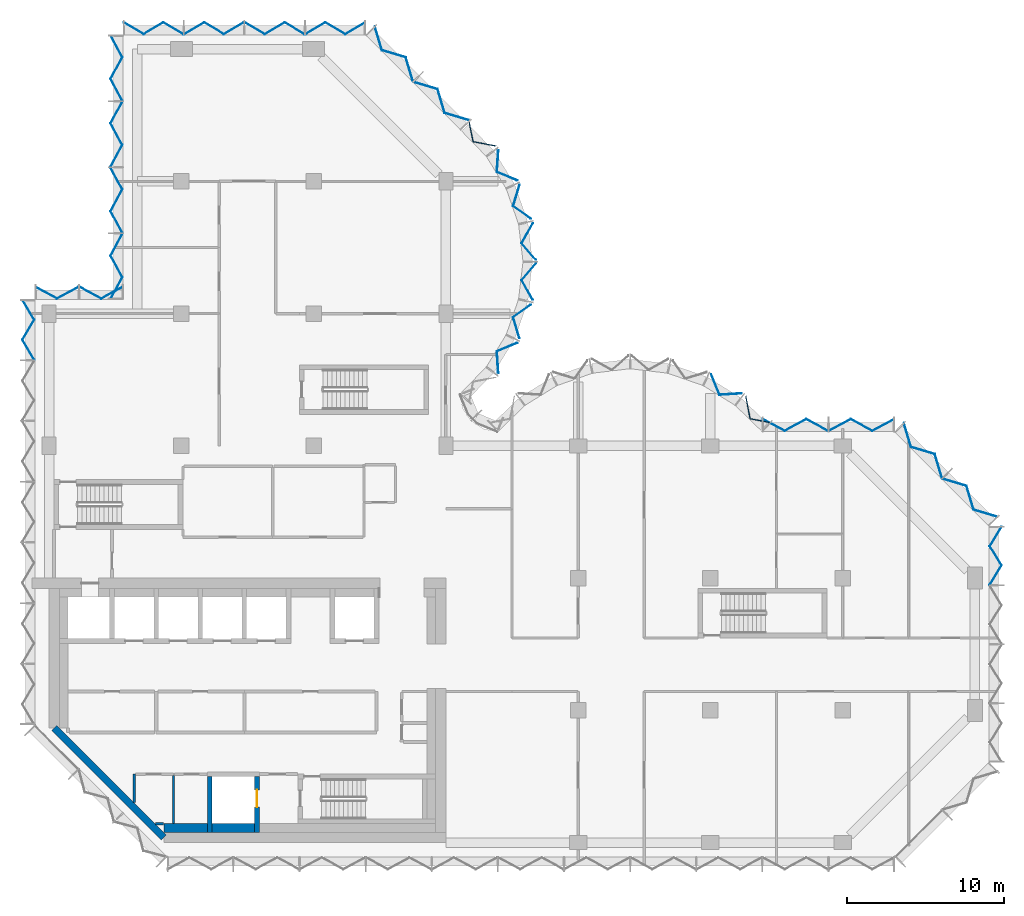
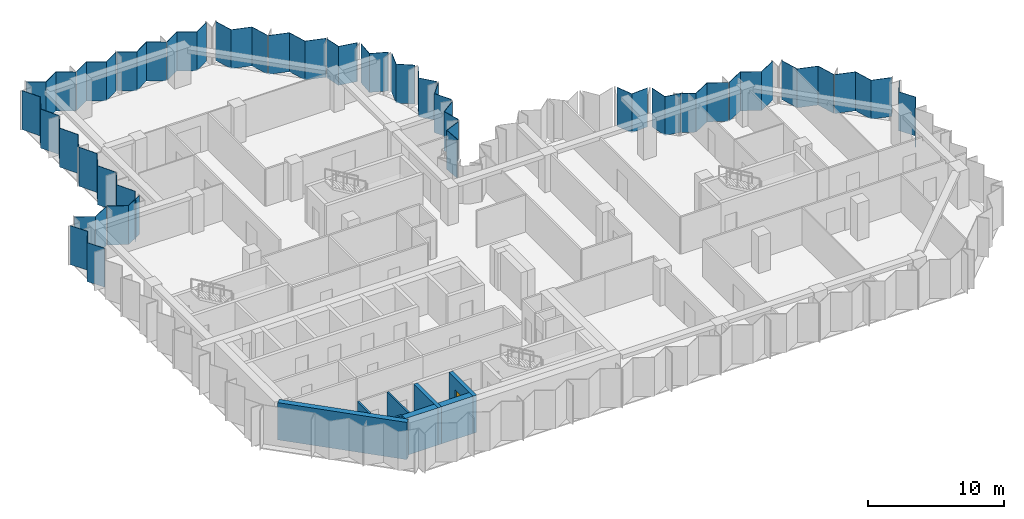
# One storey, part 4 of 10: 27 plates, 8 walls, 1 door, 1 opening, 10 elements without a shape of their own.
"""IFC4 building model written with IfcOpenShell, lengths in metres."""

import ifcopenshell
import ifcopenshell.guid

model = None  # the IFC model being written
_history = None  # IfcOwnerHistory: only IFC2X3 demands one
_inside = {}  # id of a spatial element -> (the spatial element, [elements in it])
_under = {}  # id of a project, library or spatial element -> (it, [spatial elements below it])
_declared = {}  # id of a project -> (the project, [libraries it declares])
_typed = {}  # id of a type object -> (the type object, [elements of that type])
_made_of = {}  # id of a material, layer set ... -> (it, [elements and type objects made of it])


def new_model(schema):
    """Start an empty IFC model of exactly this schema.

    Asked for "IFC4X3", IfcOpenShell would pick the latest addendum, in which some entities
    have other attributes; the version numbers below select the first issue.
    IFC2X3 requires an IfcOwnerHistory on every rooted entity: one is made here for all.
    """
    global model, _history
    if schema == "IFC4X3":
        model = ifcopenshell.file(schema_version=(4, 3, 0, 0))
    else:
        model = ifcopenshell.file(schema=schema)
    _inside.clear()
    _under.clear()
    _declared.clear()
    _typed.clear()
    _made_of.clear()
    _history = None
    if model.schema == "IFC2X3":
        org = make("IfcOrganization", Name="unknown")
        user = make(
            "IfcPersonAndOrganization",
            ThePerson=make("IfcPerson", FamilyName="unknown"),
            TheOrganization=org,
        )
        app = make(
            "IfcApplication",
            ApplicationDeveloper=org,
            Version="unknown",
            ApplicationFullName="unknown",
            ApplicationIdentifier="unknown",
        )
        _history = make(
            "IfcOwnerHistory",
            OwningUser=user,
            OwningApplication=app,
            ChangeAction="ADDED",
            CreationDate=0,
        )
    return model


def make(cls, **values):
    """One entity of the class cls with the attributes given. An attribute that is None is left unset."""
    return model.create_entity(
        cls, **{name: value for name, value in values.items() if value is not None}
    )


def rooted(cls, **values):
    """An entity with a GlobalId (a new one), such as an element, a storey or a relation."""
    return make(cls, GlobalId=ifcopenshell.guid.new(), OwnerHistory=_history, **values)


def si_unit(unit_type, name, prefix=None):
    """IfcSIUnit, for example si_unit("LENGTHUNIT", "METRE", prefix="MILLI")."""
    return make("IfcSIUnit", UnitType=unit_type, Prefix=prefix, Name=name)


def assignment(units):
    """IfcUnitAssignment: the units of a project."""
    return None if units is None else make("IfcUnitAssignment", Units=units)


def point(xyz):
    """IfcCartesianPoint."""
    return None if xyz is None else make("IfcCartesianPoint", Coordinates=xyz)


def direction(xyz):
    """IfcDirection."""
    return None if xyz is None else make("IfcDirection", DirectionRatios=xyz)


def frame(location, z_axis=None, x_axis=None):
    """IfcAxis2Placement3D, a coordinate frame: its origin and axes. An axis left out is left unset."""
    return make(
        "IfcAxis2Placement3D",
        Location=point(location),
        Axis=direction(z_axis),
        RefDirection=direction(x_axis),
    )


def frame_2d(location, x_axis=None):
    """IfcAxis2Placement2D, a coordinate frame in the plane: its origin and x axis."""
    return make(
        "IfcAxis2Placement2D", Location=point(location), RefDirection=direction(x_axis)
    )


def origin():
    """The frame at (0, 0, 0) with its axes left unset."""
    return frame((0.0, 0.0, 0.0))


def place(relative_to, where):
    """IfcLocalPlacement: puts the frame where relative to a parent placement (None: the world)."""
    return make(
        "IfcLocalPlacement", PlacementRelTo=relative_to, RelativePlacement=where
    )


def context(
    kind, dimensions, precision=None, world=None, true_north=None, identifier=None
):
    """IfcGeometricRepresentationContext, for example the 3D "Model" context."""
    return make(
        "IfcGeometricRepresentationContext",
        ContextIdentifier=identifier,
        ContextType=kind,
        CoordinateSpaceDimension=dimensions,
        Precision=precision,
        WorldCoordinateSystem=world,
        TrueNorth=true_north,
    )


def subcontext(parent, identifier, kind, view, scale=None):
    """IfcGeometricRepresentationSubContext, for example "Body" below "Model"."""
    return make(
        "IfcGeometricRepresentationSubContext",
        ContextIdentifier=identifier,
        ContextType=kind,
        ParentContext=parent,
        TargetScale=scale,
        TargetView=view,
    )


def project(units=None, contexts=None):
    """IfcProject with its units and contexts."""
    return rooted(
        "IfcProject",
        Name="project",
        RepresentationContexts=contexts,
        UnitsInContext=assignment(units),
    )


def spatial(cls, under=None, at=None, **own):
    """A site, building, storey or space (cls), placed at a placement, below another one or the project."""
    s = rooted(cls, ObjectPlacement=at, **own)
    if under is not None:
        _under.setdefault(under.id(), (under, []))[1].append(s)
    return s


def polyline(points):
    """IfcPolyline through the points."""
    return make("IfcPolyline", Points=[point(p) for p in points])


def profile(cls, at=None, kind="AREA", **sizes):
    """A parametric profile (cls). Its sizes go by their IFC names, for example OverallWidth=200.0."""
    return make(cls, ProfileType=kind, Position=at, **sizes)


def rectangle(**sizes):
    """IfcRectangleProfileDef."""
    return profile("IfcRectangleProfileDef", **sizes)


def outline(outer, holes=None, kind="AREA"):
    """IfcArbitraryClosedProfileDef: a profile drawn as a closed curve; with holes, ...WithVoids."""
    if holes is None:
        return make("IfcArbitraryClosedProfileDef", ProfileType=kind, OuterCurve=outer)
    return make(
        "IfcArbitraryProfileDefWithVoids",
        ProfileType=kind,
        OuterCurve=outer,
        InnerCurves=holes,
    )


def extrude(swept, where, along, depth):
    """IfcExtrudedAreaSolid: the profile swept, set in the frame where, extruded along a direction by depth."""
    return make(
        "IfcExtrudedAreaSolid",
        SweptArea=swept,
        Position=where,
        ExtrudedDirection=direction(along),
        Depth=depth,
    )


def shape(context_of_items, identifier, shape_type, items):
    """IfcShapeRepresentation: the items that make up one representation, for example the "Body"."""
    return make(
        "IfcShapeRepresentation",
        ContextOfItems=context_of_items,
        RepresentationIdentifier=identifier,
        RepresentationType=shape_type,
        Items=items,
    )


def material(Name=None, Category=None):
    """IfcMaterial."""
    return make("IfcMaterial", Name=Name, Category=Category)


def layer(
    of_material, thickness, ventilated=None, Name=None, Category=None, Priority=None
):
    """IfcMaterialLayer: one layer of a wall or slab, of a material (None: an air gap)."""
    return make(
        "IfcMaterialLayer",
        Material=of_material,
        LayerThickness=thickness,
        IsVentilated=ventilated,
        Name=Name,
        Category=Category,
        Priority=Priority,
    )


def layer_set(layers, Name=None):
    """IfcMaterialLayerSet."""
    return make("IfcMaterialLayerSet", MaterialLayers=layers, LayerSetName=Name)


def made_of(thing, what):
    """Note that an element or type object is made of a material, layer set ...; save() writes the relation."""
    if what is not None:
        _made_of.setdefault(what.id(), (what, []))[1].append(thing)
    return thing


def type_object(cls, material=None, **own):
    """A type object (cls), such as IfcWallType, which elements share."""
    return made_of(rooted(cls, **own), material)


def element(
    cls,
    number,
    at=None,
    inside=None,
    cuts=None,
    type_object=None,
    material=None,
    context=None,
    identifier="Body",
    shape_type=None,
    held_by="IfcProductDefinitionShape",
    body=None,
    shapes=None,
    **own,
):
    """One element of the class cls, such as IfcWall. Its Tag is "e" and its number.

    at: its placement. inside: the storey or other place that contains it. cuts: it is an
    opening in that element (IfcRelVoidsElement). A single representation is given by context,
    identifier, shape_type and body (its items); several are given by shapes. held_by: the class
    of the entity that holds the representations. save() writes the other relations.
    """
    e = rooted(cls, Tag="e%d" % number, ObjectPlacement=at, **own)
    if body is not None:
        shapes = [shape(context, identifier, shape_type, body)]
    if shapes is not None:
        e.Representation = make(held_by, Representations=shapes)
    if inside is not None:
        _inside.setdefault(inside.id(), (inside, []))[1].append(e)
    if cuts is not None:
        rooted(
            "IfcRelVoidsElement", RelatingBuildingElement=cuts, RelatedOpeningElement=e
        )
    if type_object is not None:
        _typed.setdefault(type_object.id(), (type_object, []))[1].append(e)
    return made_of(e, material)


def fill(opening, filler):
    """IfcRelFillsElement: the door or window that sits in an opening."""
    return rooted(
        "IfcRelFillsElement",
        RelatingOpeningElement=opening,
        RelatedBuildingElement=filler,
    )


def aggregate(whole, parts):
    """IfcRelAggregates: a whole, such as a stair, and the parts it consists of."""
    return rooted("IfcRelAggregates", RelatingObject=whole, RelatedObjects=parts)


def save(model, path):
    """Write the relations noted so far, then the file.

    IfcRelAggregates (storeys below a building ...), IfcRelContainedInSpatialStructure (elements
    in a storey), IfcRelDefinesByType, IfcRelAssociatesMaterial and IfcRelDeclares: one each for
    every whole, place, type object, material and project.
    """
    for whole, parts in _under.values():
        aggregate(whole, parts)
    for where, things in _inside.values():
        rooted(
            "IfcRelContainedInSpatialStructure",
            RelatedElements=things,
            RelatingStructure=where,
        )
    for kind, things in _typed.values():
        rooted("IfcRelDefinesByType", RelatedObjects=things, RelatingType=kind)
    for what, things in _made_of.values():
        rooted("IfcRelAssociatesMaterial", RelatedObjects=things, RelatingMaterial=what)
    for by, libraries in _declared.values():
        rooted("IfcRelDeclares", RelatingContext=by, RelatedDefinitions=libraries)
    model.write(path)


model = new_model("IFC4")

# Units and contexts
model_context = context("Model", 3, precision=1e-05, world=origin(), true_north=direction((0.0, 1.0)))
body_context = subcontext(model_context, "Body", "Model", "MODEL_VIEW")
ifc_project = project(units=[si_unit("LENGTHUNIT", "METRE"), si_unit("AREAUNIT", "SQUARE_METRE"), si_unit("VOLUMEUNIT", "CUBIC_METRE"), si_unit("PLANEANGLEUNIT", "RADIAN"), si_unit("MASSUNIT", "GRAM", prefix="KILO")], contexts=[model_context])

# Site, building, storey
site_placement = place(None, origin())
site = spatial("IfcSite", under=ifc_project, at=site_placement, CompositionType="ELEMENT")
building_placement = place(site_placement, origin())
building = spatial("IfcBuilding", under=site, at=building_placement, Name="Brevane Broadcast Tower", CompositionType="ELEMENT")
storey_placement = place(building_placement, frame((0.0, 0.0, 177.60009765625)))
storey = spatial("IfcBuildingStorey", under=building, at=storey_placement, Name="L44", CompositionType="ELEMENT", Elevation=177.60009765625)

# Curtain wall, plate
ifc_material_1 = material(Name="Aluminium 6063-T6 bronze anodised", Category="aluminium")
curtain_wall_type = type_object("IfcCurtainWallType", Name="CW-1 curtain wall", PredefinedType="NOTDEFINED", material=ifc_material_1)
curtain_wall_1_placement = place(storey_placement, origin())
curtain_wall_1 = element("IfcCurtainWall", 1, at=curtain_wall_1_placement, inside=storey, type_object=curtain_wall_type, Name="CW-1 typical tilted unit L44 east end", PredefinedType="NOTDEFINED")
ifc_material_2 = material(Name="Laminated glass bronze-tinted", Category="glass")
ifc_layer_1 = layer(ifc_material_2, 0.0400390625)
ifc_layer_set_1 = layer_set([ifc_layer_1], Name="CW tall glass panel 40")
plate_type = type_object("IfcPlateType", Name="CW tall glass panel 40", PredefinedType="CURTAIN_PANEL", material=ifc_layer_set_1)
plate_1_placement = place(storey_placement, frame((0.0, 0.0, -0.150146484375)))
plate_1 = element("IfcPlate", 2, at=plate_1_placement, type_object=plate_type, Name="CW-1 glass panel", PredefinedType="CURTAIN_PANEL", context=body_context, shape_type="SweptSolid", body=[
    extrude(outline(polyline([(59.7265625, 16.385009765625), (59.7734375, 16.385009765625), (60.517822265625, 17.61181640625), (59.7734375, 18.83837890625), (60.517822265625, 20.06494140625), (60.470947265625, 20.06494140625), (59.7265625, 18.83837890625), (60.470947265625, 17.61181640625), (59.7265625, 16.385009765625)])), origin(), (0.0, 0.0, 1.0), 3.5),
])
aggregate(curtain_wall_1, [plate_1])

# Curtain wall, plates
curtain_wall_2_placement = place(storey_placement, origin())
curtain_wall_2 = element("IfcCurtainWall", 3, at=curtain_wall_2_placement, inside=storey, type_object=curtain_wall_type, Name="CW-1 typical tilted unit L44 north-east chamfer", PredefinedType="NOTDEFINED")
plate_2_placement = place(storey_placement, frame((0.0, 0.0, -0.150146484375)))
plate_2 = element("IfcPlate", 4, at=plate_2_placement, type_object=plate_type, Name="CW-1 glass panel", PredefinedType="CURTAIN_PANEL", context=body_context, shape_type="SweptSolid", body=[
    extrude(outline(polyline([(60.220947265625, 20.67041015625), (60.2529296875, 20.702392578125), (58.7431640625, 21.15966796875), (58.285888671875, 22.66943359375), (56.776123046875, 23.126708984375), (56.744140625, 23.094482421875), (58.25390625, 22.637451171875), (58.711181640625, 21.127685546875), (60.220947265625, 20.67041015625)])), origin(), (0.0, 0.0, 1.0), 3.5),
])
plate_3_placement = place(storey_placement, frame((0.0, 0.0, -0.150146484375)))
plate_3 = element("IfcPlate", 5, at=plate_3_placement, type_object=plate_type, Name="CW-1 glass panel", PredefinedType="CURTAIN_PANEL", context=body_context, shape_type="SweptSolid", body=[
    extrude(outline(polyline([(56.694580078125, 23.14404296875), (56.7265625, 23.176025390625), (56.26953125, 24.68603515625), (54.759521484375, 25.14306640625), (54.302490234375, 26.653076171875), (54.2705078125, 26.620849609375), (54.7275390625, 25.111083984375), (56.2373046875, 24.65380859375), (56.694580078125, 23.14404296875)])), origin(), (0.0, 0.0, 1.0), 3.5),
])
aggregate(curtain_wall_2, [plate_2, plate_3])

curtain_wall_3_placement = place(storey_placement, origin())
curtain_wall_3 = element("IfcCurtainWall", 6, at=curtain_wall_3_placement, inside=storey, type_object=curtain_wall_type, Name="CW-1 typical tilted unit L44 east arm north face", PredefinedType="NOTDEFINED")
plate_4_placement = place(storey_placement, frame((0.0, 0.0, -0.150146484375)))
plate_4 = element("IfcPlate", 7, at=plate_4_placement, type_object=plate_type, Name="CW-1 glass panel", PredefinedType="CURTAIN_PANEL", context=body_context, shape_type="SweptSolid", body=[
    extrude(outline(polyline([(53.6650390625, 26.87158203125), (53.6650390625, 26.9169921875), (52.288330078125, 26.172607421875), (50.91162109375, 26.9169921875), (49.534912109375, 26.172607421875), (49.534912109375, 26.127197265625), (50.91162109375, 26.87158203125), (52.288330078125, 26.127197265625), (53.6650390625, 26.87158203125)])), origin(), (0.0, 0.0, 1.0), 3.5),
])
plate_5_placement = place(storey_placement, frame((0.0, 0.0, -0.150146484375)))
plate_5 = element("IfcPlate", 8, at=plate_5_placement, type_object=plate_type, Name="CW-1 glass panel", PredefinedType="CURTAIN_PANEL", context=body_context, shape_type="SweptSolid", body=[
    extrude(outline(polyline([(49.465087890625, 26.127197265625), (49.465087890625, 26.172607421875), (48.08837890625, 26.9169921875), (46.711669921875, 26.172607421875), (45.3349609375, 26.9169921875), (45.3349609375, 26.87158203125), (46.711669921875, 26.127197265625), (48.08837890625, 26.87158203125), (49.465087890625, 26.127197265625)])), origin(), (0.0, 0.0, 1.0), 3.5),
])
aggregate(curtain_wall_3, [plate_4, plate_5])

curtain_wall_4_placement = place(storey_placement, origin())
curtain_wall_4 = element("IfcCurtainWall", 9, at=curtain_wall_4_placement, inside=storey, type_object=curtain_wall_type, Name="CW-1 typical tilted unit L44 east bow", PredefinedType="NOTDEFINED")
plate_6_placement = place(storey_placement, frame((0.0, 0.0, -0.150146484375)))
plate_6 = element("IfcPlate", 10, at=plate_6_placement, type_object=plate_type, Name="CW-1 glass panel", PredefinedType="CURTAIN_PANEL", context=body_context, shape_type="SweptSolid", body=[
    extrude(outline(polyline([(45.79150390625, 26.656005859375), (45.82470703125, 26.690185546875), (44.539306640625, 26.9423828125), (44.263916015625, 28.3857421875), (44.231201171875, 28.34375), (44.5048828125, 26.908203125), (45.79150390625, 26.656005859375)])), origin(), (0.0, 0.0, 1.0), 3.5),
])
plate_7_placement = place(storey_placement, frame((0.0, 0.0, -0.150146484375)))
plate_7 = element("IfcPlate", 11, at=plate_7_placement, type_object=plate_type, Name="CW-1 glass panel", PredefinedType="CURTAIN_PANEL", context=body_context, shape_type="SweptSolid", body=[
    extrude(outline(polyline([(43.950439453125, 28.5087890625), (43.9833984375, 28.551025390625), (42.601318359375, 28.462890625), (42.0703125, 29.76171875), (42.046875, 29.712890625), (42.5751953125, 28.42138671875), (43.950439453125, 28.5087890625)])), origin(), (0.0, 0.0, 1.0), 3.5),
])
aggregate(curtain_wall_4, [plate_6, plate_7])

curtain_wall_5_placement = place(storey_placement, origin())
curtain_wall_5 = element("IfcCurtainWall", 12, at=curtain_wall_5_placement, inside=storey, type_object=curtain_wall_type, Name="CW-1 typical tilted unit L44 north bow", PredefinedType="NOTDEFINED")
plate_8_placement = place(storey_placement, frame((0.0, 0.0, -0.150146484375)))
plate_8 = element("IfcPlate", 13, at=plate_8_placement, type_object=plate_type, Name="CW-1 glass panel", PredefinedType="CURTAIN_PANEL", context=body_context, shape_type="SweptSolid", body=[
    extrude(outline(polyline([(28.5087890625, 29.849609375), (28.551025390625, 29.816650390625), (28.462890625, 31.198486328125), (29.76171875, 31.729736328125), (29.712890625, 31.753173828125), (28.42138671875, 31.224609375), (28.5087890625, 29.849609375)])), origin(), (0.0, 0.0, 1.0), 3.5),
])
plate_9_placement = place(storey_placement, frame((0.0, 0.0, -0.150146484375)))
plate_9 = element("IfcPlate", 14, at=plate_9_placement, type_object=plate_type, Name="CW-1 glass panel", PredefinedType="CURTAIN_PANEL", context=body_context, shape_type="SweptSolid", body=[
    extrude(outline(polyline([(29.851806640625, 32.044677734375), (29.900634765625, 32.021484375), (29.494384765625, 33.364501953125), (30.622802734375, 34.167236328125), (30.57080078125, 34.17919921875), (29.44775390625, 33.380615234375), (29.851806640625, 32.044677734375)])), origin(), (0.0, 0.0, 1.0), 3.5),
])
plate_10_placement = place(storey_placement, frame((0.0, 0.0, -0.150146484375)))
plate_10 = element("IfcPlate", 15, at=plate_10_placement, type_object=plate_type, Name="CW-1 glass panel", PredefinedType="CURTAIN_PANEL", context=body_context, shape_type="SweptSolid", body=[
    extrude(outline(polyline([(30.68798828125, 34.483642578125), (30.740478515625, 34.4716796875), (30.036376953125, 35.730224609375), (30.94921875, 36.7919921875), (30.896484375, 36.7919921875), (29.98779296875, 35.735107421875), (30.68798828125, 34.483642578125)])), origin(), (0.0, 0.0, 1.0), 3.5),
])
plate_11_placement = place(storey_placement, frame((0.0, 0.0, -0.150146484375)))
plate_11 = element("IfcPlate", 16, at=plate_11_placement, type_object=plate_type, Name="CW-1 glass panel", PredefinedType="CURTAIN_PANEL", context=body_context, shape_type="SweptSolid", body=[
    extrude(outline(polyline([(30.896484375, 37.008056640625), (30.94921875, 37.008056640625), (30.036376953125, 38.069580078125), (30.740478515625, 39.328369140625), (30.68798828125, 39.31640625), (29.98779296875, 38.064697265625), (30.896484375, 37.008056640625)])), origin(), (0.0, 0.0, 1.0), 3.5),
])
plate_12_placement = place(storey_placement, frame((0.0, 0.0, -0.150146484375)))
plate_12 = element("IfcPlate", 17, at=plate_12_placement, type_object=plate_type, Name="CW-1 glass panel", PredefinedType="CURTAIN_PANEL", context=body_context, shape_type="SweptSolid", body=[
    extrude(outline(polyline([(30.57080078125, 39.62060546875), (30.622802734375, 39.6328125), (29.494384765625, 40.435546875), (29.900634765625, 41.778564453125), (29.851806640625, 41.75537109375), (29.44775390625, 40.41943359375), (30.57080078125, 39.62060546875)])), origin(), (0.0, 0.0, 1.0), 3.5),
])
plate_13_placement = place(storey_placement, frame((0.0, 0.0, -0.150146484375)))
plate_13 = element("IfcPlate", 18, at=plate_13_placement, type_object=plate_type, Name="CW-1 glass panel", PredefinedType="CURTAIN_PANEL", context=body_context, shape_type="SweptSolid", body=[
    extrude(outline(polyline([(29.712890625, 42.046875), (29.76171875, 42.0703125), (28.462890625, 42.601318359375), (28.551025390625, 43.9833984375), (28.5087890625, 43.950439453125), (28.42138671875, 42.5751953125), (29.712890625, 42.046875)])), origin(), (0.0, 0.0, 1.0), 3.5),
])
plate_14_placement = place(storey_placement, frame((0.0, 0.0, -0.150146484375)))
plate_14 = element("IfcPlate", 19, at=plate_14_placement, type_object=plate_type, Name="CW-1 glass panel", PredefinedType="CURTAIN_PANEL", context=body_context, shape_type="SweptSolid", body=[
    extrude(outline(polyline([(28.34375, 44.231201171875), (28.3857421875, 44.263916015625), (26.9423828125, 44.539306640625), (26.690185546875, 45.82470703125), (26.656005859375, 45.79150390625), (26.908203125, 44.5048828125), (28.34375, 44.231201171875)])), origin(), (0.0, 0.0, 1.0), 3.5),
])
aggregate(curtain_wall_5, [plate_8, plate_9, plate_10, plate_11, plate_12, plate_13, plate_14])

curtain_wall_6_placement = place(storey_placement, origin())
curtain_wall_6 = element("IfcCurtainWall", 20, at=curtain_wall_6_placement, inside=storey, type_object=curtain_wall_type, Name="CW-1 typical tilted unit L44 north arm north-east chamfer", PredefinedType="NOTDEFINED")
plate_15_placement = place(storey_placement, frame((0.0, 0.0, -0.150146484375)))
plate_15 = element("IfcPlate", 21, at=plate_15_placement, type_object=plate_type, Name="CW-1 glass panel", PredefinedType="CURTAIN_PANEL", context=body_context, shape_type="SweptSolid", body=[
    extrude(outline(polyline([(26.620849609375, 45.870361328125), (26.653076171875, 45.902587890625), (25.14306640625, 46.359619140625), (24.68603515625, 47.869384765625), (23.176025390625, 48.32666015625), (23.14404296875, 48.294677734375), (24.65380859375, 47.83740234375), (25.111083984375, 46.32763671875), (26.620849609375, 45.870361328125)])), origin(), (0.0, 0.0, 1.0), 3.5),
])
plate_16_placement = place(storey_placement, frame((0.0, 0.0, -0.150146484375)))
plate_16 = element("IfcPlate", 22, at=plate_16_placement, type_object=plate_type, Name="CW-1 glass panel", PredefinedType="CURTAIN_PANEL", context=body_context, shape_type="SweptSolid", body=[
    extrude(outline(polyline([(23.094482421875, 48.343994140625), (23.126708984375, 48.376220703125), (22.66943359375, 49.885986328125), (21.15966796875, 50.343017578125), (20.702392578125, 51.85302734375), (20.67041015625, 51.82080078125), (21.127685546875, 50.31103515625), (22.637451171875, 49.85400390625), (23.094482421875, 48.343994140625)])), origin(), (0.0, 0.0, 1.0), 3.5),
])
aggregate(curtain_wall_6, [plate_15, plate_16])

curtain_wall_7_placement = place(storey_placement, origin())
curtain_wall_7 = element("IfcCurtainWall", 23, at=curtain_wall_7_placement, inside=storey, type_object=curtain_wall_type, Name="CW-1 typical tilted unit L44 north end", PredefinedType="NOTDEFINED")
plate_17_placement = place(storey_placement, frame((0.0, 0.0, -0.150146484375)))
plate_17 = element("IfcPlate", 24, at=plate_17_placement, type_object=plate_type, Name="CW-1 glass panel", PredefinedType="CURTAIN_PANEL", context=body_context, shape_type="SweptSolid", body=[
    extrude(outline(polyline([(20.06494140625, 52.0712890625), (20.06494140625, 52.11767578125), (18.804931640625, 51.373291015625), (17.544921875, 52.11767578125), (16.284912109375, 51.373291015625), (16.284912109375, 51.326904296875), (17.544921875, 52.0712890625), (18.804931640625, 51.326904296875), (20.06494140625, 52.0712890625)])), origin(), (0.0, 0.0, 1.0), 3.5),
])
plate_18_placement = place(storey_placement, frame((0.0, 0.0, -0.150146484375)))
plate_18 = element("IfcPlate", 25, at=plate_18_placement, type_object=plate_type, Name="CW-1 glass panel", PredefinedType="CURTAIN_PANEL", context=body_context, shape_type="SweptSolid", body=[
    extrude(outline(polyline([(16.215087890625, 51.326904296875), (16.215087890625, 51.373291015625), (14.955078125, 52.11767578125), (13.695068359375, 51.373291015625), (12.43505859375, 52.11767578125), (12.43505859375, 52.0712890625), (13.695068359375, 51.326904296875), (14.955078125, 52.0712890625), (16.215087890625, 51.326904296875)])), origin(), (0.0, 0.0, 1.0), 3.5),
])
plate_19_placement = place(storey_placement, frame((0.0, 0.0, -0.150146484375)))
plate_19 = element("IfcPlate", 26, at=plate_19_placement, type_object=plate_type, Name="CW-1 glass panel", PredefinedType="CURTAIN_PANEL", context=body_context, shape_type="SweptSolid", body=[
    extrude(outline(polyline([(12.364990234375, 52.0712890625), (12.364990234375, 52.11767578125), (11.10498046875, 51.373291015625), (9.844970703125, 52.11767578125), (8.5849609375, 51.373291015625), (8.5849609375, 51.326904296875), (9.844970703125, 52.0712890625), (11.10498046875, 51.326904296875), (12.364990234375, 52.0712890625)])), origin(), (0.0, 0.0, 1.0), 3.5),
])
plate_20_placement = place(storey_placement, frame((0.0, 0.0, -0.150146484375)))
plate_20 = element("IfcPlate", 27, at=plate_20_placement, type_object=plate_type, Name="CW-1 glass panel", PredefinedType="CURTAIN_PANEL", context=body_context, shape_type="SweptSolid", body=[
    extrude(outline(polyline([(8.514892578125, 51.326904296875), (8.514892578125, 51.373291015625), (7.2548828125, 52.11767578125), (5.9951171875, 51.373291015625), (4.735107421875, 52.11767578125), (4.735107421875, 52.0712890625), (5.9951171875, 51.326904296875), (7.2548828125, 52.0712890625), (8.514892578125, 51.326904296875)])), origin(), (0.0, 0.0, 1.0), 3.5),
])
aggregate(curtain_wall_7, [plate_17, plate_18, plate_19, plate_20])

curtain_wall_8_placement = place(storey_placement, origin())
curtain_wall_8 = element("IfcCurtainWall", 28, at=curtain_wall_8_placement, inside=storey, type_object=curtain_wall_type, Name="CW-1 typical tilted unit L44 north wing west face, lower block", PredefinedType="NOTDEFINED")
plate_21_placement = place(storey_placement, frame((0.0, 0.0, -0.150146484375)))
plate_21 = element("IfcPlate", 29, at=plate_21_placement, type_object=plate_type, Name="CW-1 glass panel", PredefinedType="CURTAIN_PANEL", context=body_context, shape_type="SweptSolid", body=[
    extrude(outline(polyline([(3.92822265625, 51.264892578125), (3.8828125, 51.264892578125), (4.627197265625, 49.88818359375), (3.8828125, 48.51171875), (4.627197265625, 47.135009765625), (4.672607421875, 47.135009765625), (3.92822265625, 48.51171875), (4.672607421875, 49.88818359375), (3.92822265625, 51.264892578125)])), origin(), (0.0, 0.0, 1.0), 3.5),
])
plate_22_placement = place(storey_placement, frame((0.0, 0.0, -0.150146484375)))
plate_22 = element("IfcPlate", 30, at=plate_22_placement, type_object=plate_type, Name="CW-1 glass panel", PredefinedType="CURTAIN_PANEL", context=body_context, shape_type="SweptSolid", body=[
    extrude(outline(polyline([(4.672607421875, 47.06494140625), (4.627197265625, 47.06494140625), (3.8828125, 45.688232421875), (4.627197265625, 44.311767578125), (3.8828125, 42.93505859375), (3.92822265625, 42.93505859375), (4.672607421875, 44.311767578125), (3.92822265625, 45.688232421875), (4.672607421875, 47.06494140625)])), origin(), (0.0, 0.0, 1.0), 3.5),
])
plate_23_placement = place(storey_placement, frame((0.0, 0.0, -0.150146484375)))
plate_23 = element("IfcPlate", 31, at=plate_23_placement, type_object=plate_type, Name="CW-1 glass panel", PredefinedType="CURTAIN_PANEL", context=body_context, shape_type="SweptSolid", body=[
    extrude(outline(polyline([(3.92822265625, 42.864990234375), (3.8828125, 42.864990234375), (4.627197265625, 41.48828125), (3.8828125, 40.11181640625), (4.627197265625, 38.735107421875), (4.672607421875, 38.735107421875), (3.92822265625, 40.11181640625), (4.672607421875, 41.48828125), (3.92822265625, 42.864990234375)])), origin(), (0.0, 0.0, 1.0), 3.5),
])
plate_24_placement = place(storey_placement, frame((0.0, 0.0, -0.150146484375)))
plate_24 = element("IfcPlate", 32, at=plate_24_placement, type_object=plate_type, Name="CW-1 glass panel", PredefinedType="CURTAIN_PANEL", context=body_context, shape_type="SweptSolid", body=[
    extrude(outline(polyline([(4.672607421875, 38.6650390625), (4.627197265625, 38.6650390625), (3.8828125, 37.288330078125), (4.627197265625, 35.91162109375), (3.8828125, 34.534912109375), (3.92822265625, 34.534912109375), (4.672607421875, 35.91162109375), (3.92822265625, 37.288330078125), (4.672607421875, 38.6650390625)])), origin(), (0.0, 0.0, 1.0), 3.5),
])
aggregate(curtain_wall_8, [plate_21, plate_22, plate_23, plate_24])

curtain_wall_9_placement = place(storey_placement, origin())
curtain_wall_9 = element("IfcCurtainWall", 33, at=curtain_wall_9_placement, inside=storey, type_object=curtain_wall_type, Name="CW-1 typical tilted unit L44 north wing west return, lower block", PredefinedType="NOTDEFINED")
plate_25_placement = place(storey_placement, frame((0.0, 0.0, -0.150146484375)))
plate_25 = element("IfcPlate", 34, at=plate_25_placement, type_object=plate_type, Name="CW-1 glass panel", PredefinedType="CURTAIN_PANEL", context=body_context, shape_type="SweptSolid", body=[
    extrude(outline(polyline([(4.6650390625, 35.271484375), (4.6650390625, 35.317138671875), (3.300048828125, 34.57275390625), (1.93505859375, 35.317138671875), (1.93505859375, 35.271484375), (3.300048828125, 34.527099609375), (4.6650390625, 35.271484375)])), origin(), (0.0, 0.0, 1.0), 3.5),
])
plate_26_placement = place(storey_placement, frame((0.0, 0.0, -0.150146484375)))
plate_26 = element("IfcPlate", 35, at=plate_26_placement, type_object=plate_type, Name="CW-1 glass panel", PredefinedType="CURTAIN_PANEL", context=body_context, shape_type="SweptSolid", body=[
    extrude(outline(polyline([(1.864990234375, 35.271484375), (1.864990234375, 35.317138671875), (0.5, 34.57275390625), (-0.864990234375, 35.317138671875), (-0.864990234375, 35.271484375), (0.5, 34.527099609375), (1.864990234375, 35.271484375)])), origin(), (0.0, 0.0, 1.0), 3.5),
])
aggregate(curtain_wall_9, [plate_25, plate_26])

# Curtain wall, plate
curtain_wall_10_placement = place(storey_placement, origin())
curtain_wall_10 = element("IfcCurtainWall", 36, at=curtain_wall_10_placement, inside=storey, type_object=curtain_wall_type, Name="CW-1 typical tilted unit L44 west face", PredefinedType="NOTDEFINED")
plate_27_placement = place(storey_placement, frame((0.0, 0.0, -0.150146484375)))
plate_27 = element("IfcPlate", 37, at=plate_27_placement, type_object=plate_type, Name="CW-1 glass panel", PredefinedType="CURTAIN_PANEL", context=body_context, shape_type="SweptSolid", body=[
    extrude(outline(polyline([(-1.671142578125, 34.465087890625), (-1.717529296875, 34.465087890625), (-0.97314453125, 33.20263671875), (-1.717529296875, 31.940185546875), (-0.97314453125, 30.677978515625), (-0.9267578125, 30.677978515625), (-1.671142578125, 31.940185546875), (-0.9267578125, 33.20263671875), (-1.671142578125, 34.465087890625)])), origin(), (0.0, 0.0, 1.0), 3.5),
])
aggregate(curtain_wall_10, [plate_27])

# Walls
ifc_material_3 = material(Name="Concrete C32/40", Category="concrete")
ifc_layer_2 = layer(ifc_material_3, 0.550048828125)
ifc_layer_set_2 = layer_set([ifc_layer_2], Name="Core chase wall 550 mm")
wall_type_1 = type_object("IfcWallType", Name="Core chase wall 550 mm", PredefinedType="PARTITIONING", material=ifc_layer_set_2)
wall_1_placement = place(storey_placement, frame((7.286376953125, 0.925048828125, 0.0), z_axis=(0.0, 0.0, 1.0), x_axis=(1.0, 0.0, 0.0)))
element("IfcWall", 38, at=wall_1_placement, inside=storey, type_object=wall_type_1, Name="L44 chase wall LS-1", PredefinedType="PARTITIONING", context=body_context, shape_type="SweptSolid", body=[
    extrude(rectangle(XDim=2.763671875, YDim=0.550048828125, at=frame_2d((1.3818359375, 0.0))), origin(), (0.0, 0.0, 1.0), 3.349853515625),
])
wall_2_placement = place(storey_placement, frame((10.35009765625, 0.925048828125, 0.0), z_axis=(0.0, 0.0, 1.0), x_axis=(1.0, 0.0, 0.0)))
element("IfcWall", 39, at=wall_2_placement, inside=storey, type_object=wall_type_1, Name="L44 chase wall LS-2-1", PredefinedType="PARTITIONING", context=body_context, shape_type="SweptSolid", body=[
    extrude(rectangle(XDim=2.699951171875, YDim=0.550048828125, at=frame_2d((1.35009765625, 0.0))), origin(), (0.0, 0.0, 1.0), 3.349853515625),
])
ifc_material_4 = material(Name="Gypsum board on steel studs", Category="steel")
ifc_layer_3 = layer(ifc_material_4, 0.14990234375)
ifc_layer_set_3 = layer_set([ifc_layer_3], Name="Core fire partition 150 mm")
wall_type_2 = type_object("IfcWallType", Name="Core fire partition 150 mm", PredefinedType="PARTITIONING", material=ifc_layer_set_3)
wall_3_placement = place(storey_placement, frame((5.39990234375, 2.553466796875, 0.0), z_axis=(0.0, 0.0, 1.0), x_axis=(0.0, 1.0, 0.0)))
element("IfcWall", 40, at=wall_3_placement, inside=storey, type_object=wall_type_2, Name="L44 partition wall P17", PredefinedType="PARTITIONING", context=body_context, shape_type="SweptSolid", body=[
    extrude(rectangle(XDim=1.796630859375, YDim=0.14990234375, at=frame_2d((0.8984375, 0.0))), origin(), (0.0, 0.0, 1.0), 3.349853515625),
])
wall_4_placement = place(storey_placement, frame((7.89990234375, 4.27490234375, 0.0), z_axis=(0.0, 0.0, 1.0), x_axis=(0.0, -1.0, 0.0)))
element("IfcWall", 41, at=wall_4_placement, inside=storey, type_object=wall_type_2, Name="L44 partition wall P19", PredefinedType="PARTITIONING", context=body_context, shape_type="SweptSolid", body=[
    extrude(rectangle(XDim=3.06298828125, YDim=0.14990234375, at=frame_2d((1.531494140625, 0.0))), origin(), (0.0, 0.0, 1.0), 3.349853515625),
])
wall_5_placement = place(storey_placement, frame((7.2744140625, 1.199951171875, 0.0), z_axis=(0.0, 0.0, 1.0), x_axis=(-1.0, 0.0, 0.0)))
element("IfcWall", 42, at=wall_5_placement, inside=storey, type_object=wall_type_2, Name="L44 partition wall P20", PredefinedType="PARTITIONING", context=body_context, shape_type="SweptSolid", body=[
    extrude(rectangle(XDim=0.52099609375, YDim=0.14990234375, at=frame_2d((0.260498046875, 0.0))), origin(), (0.0, 0.0, 1.0), 3.349853515625),
])
ifc_material_5 = material(Name="Concrete C60/75", Category="concrete")
ifc_layer_4 = layer(ifc_material_5, 0.300048828125)
ifc_layer_set_4 = layer_set([ifc_layer_4], Name="Core wall 300 mm C60/75")
wall_type_3 = type_object("IfcWallType", Name="Core wall 300 mm C60/75", PredefinedType="SHEAR", material=ifc_layer_set_4)
wall_6_placement = place(storey_placement, frame((10.199951171875, 0.64990234375, 0.0), z_axis=(0.0, 0.0, 1.0), x_axis=(0.0, 1.0, 0.0)))
element("IfcWall", 43, at=wall_6_placement, inside=storey, type_object=wall_type_3, Name="L44 shaft wall FF2-W", PredefinedType="SHEAR", context=body_context, shape_type="SweptSolid", body=[
    extrude(rectangle(XDim=3.550048828125, YDim=0.300048828125, at=frame_2d((1.77490234375, 0.0))), origin(), (0.0, 0.0, 1.0), 3.349853515625),
])

# Wall, opening, door
wall_7_placement = place(storey_placement, frame((13.199951171875, 0.64990234375, 0.0), z_axis=(0.0, 0.0, 1.0), x_axis=(0.0, 1.0, 0.0)))
wall_7 = element("IfcWall", 44, at=wall_7_placement, inside=storey, type_object=wall_type_3, Name="L44 shaft wall FF2-E", PredefinedType="SHEAR", context=body_context, shape_type="SweptSolid", body=[
    extrude(rectangle(XDim=3.550048828125, YDim=0.300048828125, at=frame_2d((1.77490234375, 0.0))), origin(), (0.0, 0.0, 1.0), 3.349853515625),
])
opening_placement = place(wall_7_placement, frame((1.60009765625, 0.0, 0.0)))
opening = element("IfcOpeningElement", 45, at=opening_placement, cuts=wall_7, Name="Opening LD", PredefinedType="OPENING", context=body_context, shape_type="SweptSolid", body=[
    extrude(rectangle(XDim=1.10009765625, YDim=2.300048828125, at=frame_2d((0.550048828125, 1.14990234375))), frame((0.0, 0.159912109375, 0.0), z_axis=(0.0, -1.0, 0.0), x_axis=(1.0, 0.0, 0.0)), (0.0, 0.0, 1.0), 0.320068359375),
])
ifc_material_6 = material(Name="Stainless steel", Category="steel")
door_type = type_object("IfcDoorType", Name="Lift landing door", OperationType="SLIDING_TO_LEFT", PredefinedType="DOOR", material=ifc_material_6)
door_placement = place(opening_placement, origin())
door = element("IfcDoor", 46, at=door_placement, inside=storey, type_object=door_type, Name="Landing door FF2 L44", OperationType="SLIDING_TO_LEFT", OverallHeight=2.300048828125, OverallWidth=1.10009765625, PredefinedType="DOOR", context=body_context, shape_type="SweptSolid", body=[
    extrude(rectangle(XDim=1.10009765625, YDim=2.300048828125, at=frame_2d((0.550048828125, 1.14990234375))), frame((0.0, 0.02490234375, 0.0), z_axis=(0.0, -1.0, 0.0), x_axis=(1.0, 0.0, 0.0)), (0.0, 0.0, 1.0), 0.050048828125),
])
fill(opening, door)

# Wall
ifc_layer_5 = layer(ifc_material_5, 0.449951171875)
ifc_layer_set_5 = layer_set([ifc_layer_5], Name="Core wall 450 mm C60/75")
wall_type_4 = type_object("IfcWallType", Name="Core wall 450 mm C60/75", PredefinedType="SHEAR", material=ifc_layer_set_5)
wall_8_placement = place(storey_placement, frame((0.324951171875, 7.293212890625, 0.0), z_axis=(0.0, 0.0, 1.0), x_axis=(0.707106781187, -0.707106781187, 0.0)))
element("IfcWall", 47, at=wall_8_placement, inside=storey, type_object=wall_type_4, Name="L44 outer wall WC", PredefinedType="SHEAR", context=body_context, shape_type="SweptSolid", body=[
    extrude(rectangle(XDim=9.8544921875, YDim=0.449951171875, at=frame_2d((4.92724609375, 0.0))), origin(), (0.0, 0.0, 1.0), 3.349853515625),
])

save(model, "model.ifc")
